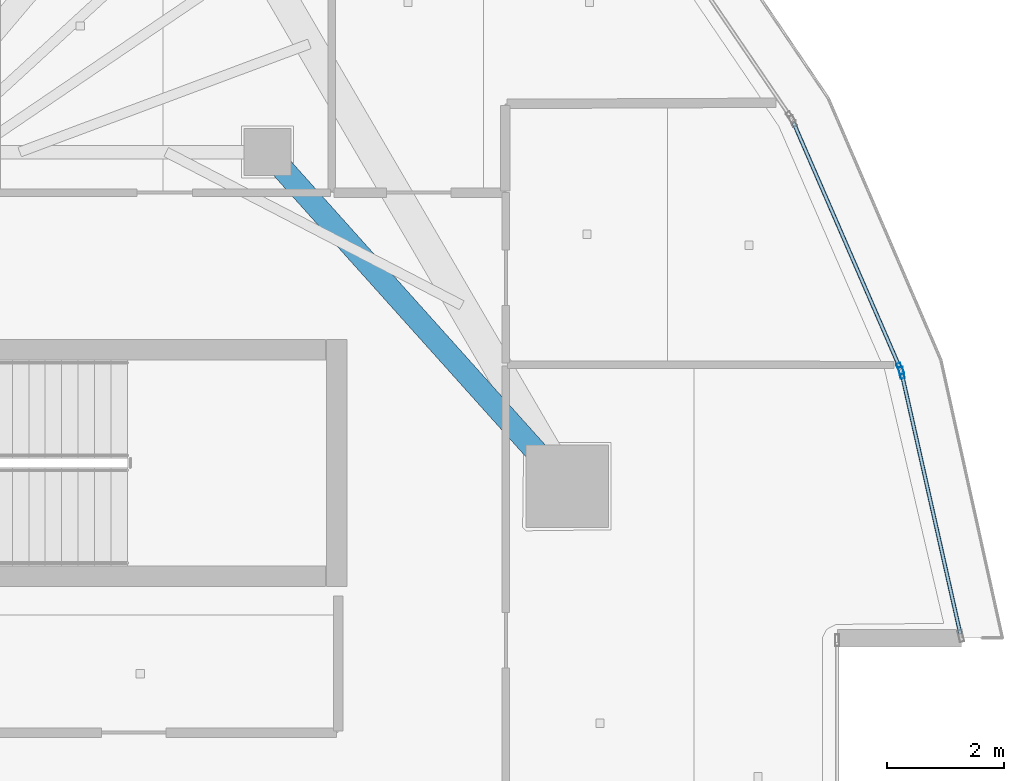
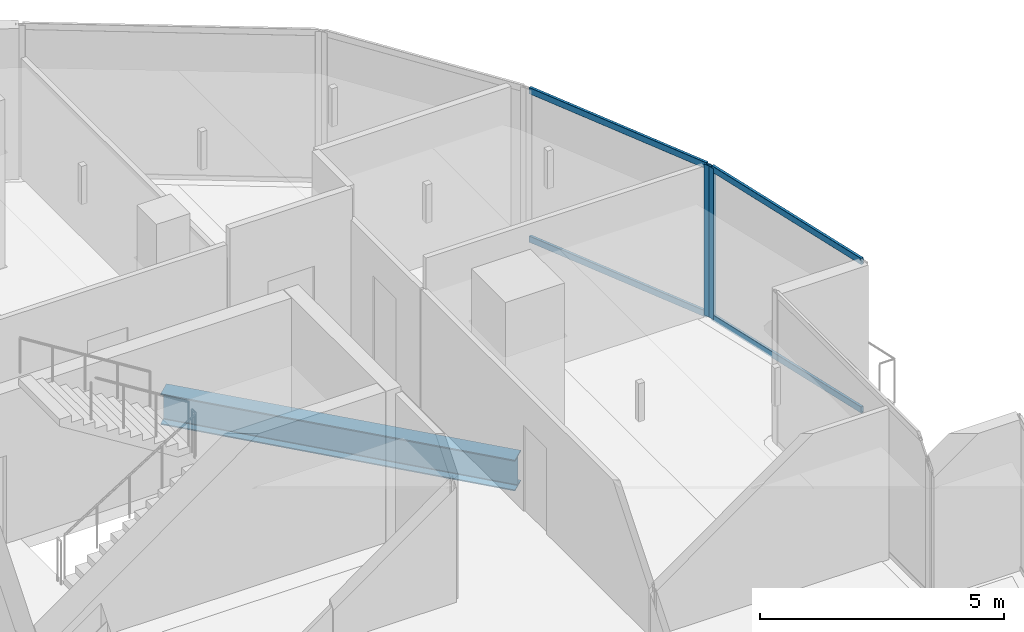
# One storey, part 13 of 26: 6 members, 1 beam, 2 elements without a shape of their own.
"""IFC4 building model written with IfcOpenShell, lengths in metres."""

import ifcopenshell
import ifcopenshell.guid

model = None  # the IFC model being written
_history = None  # IfcOwnerHistory: only IFC2X3 demands one
_inside = {}  # id of a spatial element -> (the spatial element, [elements in it])
_under = {}  # id of a project, library or spatial element -> (it, [spatial elements below it])
_declared = {}  # id of a project -> (the project, [libraries it declares])
_typed = {}  # id of a type object -> (the type object, [elements of that type])
_made_of = {}  # id of a material, layer set ... -> (it, [elements and type objects made of it])


def new_model(schema):
    """Start an empty IFC model of exactly this schema.

    Asked for "IFC4X3", IfcOpenShell would pick the latest addendum, in which some entities
    have other attributes; the version numbers below select the first issue.
    IFC2X3 requires an IfcOwnerHistory on every rooted entity: one is made here for all.
    """
    global model, _history
    if schema == "IFC4X3":
        model = ifcopenshell.file(schema_version=(4, 3, 0, 0))
    else:
        model = ifcopenshell.file(schema=schema)
    _inside.clear()
    _under.clear()
    _declared.clear()
    _typed.clear()
    _made_of.clear()
    _history = None
    if model.schema == "IFC2X3":
        org = make("IfcOrganization", Name="unknown")
        user = make(
            "IfcPersonAndOrganization",
            ThePerson=make("IfcPerson", FamilyName="unknown"),
            TheOrganization=org,
        )
        app = make(
            "IfcApplication",
            ApplicationDeveloper=org,
            Version="unknown",
            ApplicationFullName="unknown",
            ApplicationIdentifier="unknown",
        )
        _history = make(
            "IfcOwnerHistory",
            OwningUser=user,
            OwningApplication=app,
            ChangeAction="ADDED",
            CreationDate=0,
        )
    return model


def make(cls, **values):
    """One entity of the class cls with the attributes given. An attribute that is None is left unset."""
    return model.create_entity(
        cls, **{name: value for name, value in values.items() if value is not None}
    )


def rooted(cls, **values):
    """An entity with a GlobalId (a new one), such as an element, a storey or a relation."""
    return make(cls, GlobalId=ifcopenshell.guid.new(), OwnerHistory=_history, **values)


def si_unit(unit_type, name, prefix=None):
    """IfcSIUnit, for example si_unit("LENGTHUNIT", "METRE", prefix="MILLI")."""
    return make("IfcSIUnit", UnitType=unit_type, Prefix=prefix, Name=name)


def assignment(units):
    """IfcUnitAssignment: the units of a project."""
    return None if units is None else make("IfcUnitAssignment", Units=units)


def point(xyz):
    """IfcCartesianPoint."""
    return None if xyz is None else make("IfcCartesianPoint", Coordinates=xyz)


def direction(xyz):
    """IfcDirection."""
    return None if xyz is None else make("IfcDirection", DirectionRatios=xyz)


def frame(location, z_axis=None, x_axis=None):
    """IfcAxis2Placement3D, a coordinate frame: its origin and axes. An axis left out is left unset."""
    return make(
        "IfcAxis2Placement3D",
        Location=point(location),
        Axis=direction(z_axis),
        RefDirection=direction(x_axis),
    )


def frame_2d(location, x_axis=None):
    """IfcAxis2Placement2D, a coordinate frame in the plane: its origin and x axis."""
    return make(
        "IfcAxis2Placement2D", Location=point(location), RefDirection=direction(x_axis)
    )


def origin():
    """The frame at (0, 0, 0) with its axes left unset."""
    return frame((0.0, 0.0, 0.0))


def origin_2d():
    """The frame at (0, 0) in the plane with its x axis left unset."""
    return frame_2d((0.0, 0.0))


def place(relative_to, where):
    """IfcLocalPlacement: puts the frame where relative to a parent placement (None: the world)."""
    return make(
        "IfcLocalPlacement", PlacementRelTo=relative_to, RelativePlacement=where
    )


def context(
    kind, dimensions, precision=None, world=None, true_north=None, identifier=None
):
    """IfcGeometricRepresentationContext, for example the 3D "Model" context."""
    return make(
        "IfcGeometricRepresentationContext",
        ContextIdentifier=identifier,
        ContextType=kind,
        CoordinateSpaceDimension=dimensions,
        Precision=precision,
        WorldCoordinateSystem=world,
        TrueNorth=true_north,
    )


def subcontext(parent, identifier, kind, view, scale=None):
    """IfcGeometricRepresentationSubContext, for example "Body" below "Model"."""
    return make(
        "IfcGeometricRepresentationSubContext",
        ContextIdentifier=identifier,
        ContextType=kind,
        ParentContext=parent,
        TargetScale=scale,
        TargetView=view,
    )


def project(units=None, contexts=None):
    """IfcProject with its units and contexts."""
    return rooted(
        "IfcProject",
        Name="project",
        RepresentationContexts=contexts,
        UnitsInContext=assignment(units),
    )


def spatial(cls, under=None, at=None, **own):
    """A site, building, storey or space (cls), placed at a placement, below another one or the project."""
    s = rooted(cls, ObjectPlacement=at, **own)
    if under is not None:
        _under.setdefault(under.id(), (under, []))[1].append(s)
    return s


def profile(cls, at=None, kind="AREA", **sizes):
    """A parametric profile (cls). Its sizes go by their IFC names, for example OverallWidth=200.0."""
    return make(cls, ProfileType=kind, Position=at, **sizes)


def hollow_rectangle(**sizes):
    """IfcRectangleHollowProfileDef."""
    return profile("IfcRectangleHollowProfileDef", **sizes)


def i_section(**sizes):
    """IfcIShapeProfileDef."""
    return profile("IfcIShapeProfileDef", **sizes)


def extrude(swept, where, along, depth):
    """IfcExtrudedAreaSolid: the profile swept, set in the frame where, extruded along a direction by depth."""
    return make(
        "IfcExtrudedAreaSolid",
        SweptArea=swept,
        Position=where,
        ExtrudedDirection=direction(along),
        Depth=depth,
    )


def shape(context_of_items, identifier, shape_type, items):
    """IfcShapeRepresentation: the items that make up one representation, for example the "Body"."""
    return make(
        "IfcShapeRepresentation",
        ContextOfItems=context_of_items,
        RepresentationIdentifier=identifier,
        RepresentationType=shape_type,
        Items=items,
    )


def material(Name=None, Category=None):
    """IfcMaterial."""
    return make("IfcMaterial", Name=Name, Category=Category)


def layer(
    of_material, thickness, ventilated=None, Name=None, Category=None, Priority=None
):
    """IfcMaterialLayer: one layer of a wall or slab, of a material (None: an air gap)."""
    return make(
        "IfcMaterialLayer",
        Material=of_material,
        LayerThickness=thickness,
        IsVentilated=ventilated,
        Name=Name,
        Category=Category,
        Priority=Priority,
    )


def layer_set(layers, Name=None):
    """IfcMaterialLayerSet."""
    return make("IfcMaterialLayerSet", MaterialLayers=layers, LayerSetName=Name)


def material_profile(
    of_material, cross_section, Name=None, Category=None, Priority=None
):
    """IfcMaterialProfile: a cross section and its material."""
    return make(
        "IfcMaterialProfile",
        Name=Name,
        Material=of_material,
        Profile=cross_section,
        Priority=Priority,
        Category=Category,
    )


def profile_set(profiles, Name=None, composite=None):
    """IfcMaterialProfileSet."""
    return make(
        "IfcMaterialProfileSet",
        Name=Name,
        MaterialProfiles=profiles,
        CompositeProfile=composite,
    )


def made_of(thing, what):
    """Note that an element or type object is made of a material, layer set ...; save() writes the relation."""
    if what is not None:
        _made_of.setdefault(what.id(), (what, []))[1].append(thing)
    return thing


def type_object(cls, material=None, **own):
    """A type object (cls), such as IfcWallType, which elements share."""
    return made_of(rooted(cls, **own), material)


def element(
    cls,
    number,
    at=None,
    inside=None,
    cuts=None,
    type_object=None,
    material=None,
    context=None,
    identifier="Body",
    shape_type=None,
    held_by="IfcProductDefinitionShape",
    body=None,
    shapes=None,
    **own,
):
    """One element of the class cls, such as IfcWall. Its Tag is "e" and its number.

    at: its placement. inside: the storey or other place that contains it. cuts: it is an
    opening in that element (IfcRelVoidsElement). A single representation is given by context,
    identifier, shape_type and body (its items); several are given by shapes. held_by: the class
    of the entity that holds the representations. save() writes the other relations.
    """
    e = rooted(cls, Tag="e%d" % number, ObjectPlacement=at, **own)
    if body is not None:
        shapes = [shape(context, identifier, shape_type, body)]
    if shapes is not None:
        e.Representation = make(held_by, Representations=shapes)
    if inside is not None:
        _inside.setdefault(inside.id(), (inside, []))[1].append(e)
    if cuts is not None:
        rooted(
            "IfcRelVoidsElement", RelatingBuildingElement=cuts, RelatedOpeningElement=e
        )
    if type_object is not None:
        _typed.setdefault(type_object.id(), (type_object, []))[1].append(e)
    return made_of(e, material)


def aggregate(whole, parts):
    """IfcRelAggregates: a whole, such as a stair, and the parts it consists of."""
    return rooted("IfcRelAggregates", RelatingObject=whole, RelatedObjects=parts)


def save(model, path):
    """Write the relations noted so far, then the file.

    IfcRelAggregates (storeys below a building ...), IfcRelContainedInSpatialStructure (elements
    in a storey), IfcRelDefinesByType, IfcRelAssociatesMaterial and IfcRelDeclares: one each for
    every whole, place, type object, material and project.
    """
    for whole, parts in _under.values():
        aggregate(whole, parts)
    for where, things in _inside.values():
        rooted(
            "IfcRelContainedInSpatialStructure",
            RelatedElements=things,
            RelatingStructure=where,
        )
    for kind, things in _typed.values():
        rooted("IfcRelDefinesByType", RelatedObjects=things, RelatingType=kind)
    for what, things in _made_of.values():
        rooted("IfcRelAssociatesMaterial", RelatedObjects=things, RelatingMaterial=what)
    for by, libraries in _declared.values():
        rooted("IfcRelDeclares", RelatingContext=by, RelatedDefinitions=libraries)
    model.write(path)


model = new_model("IFC4")

# Units and contexts
model_context = context("Model", 3, precision=1e-05, world=origin(), true_north=direction((0.0, 1.0)))
body_context = subcontext(model_context, "Body", "Model", "MODEL_VIEW")
ifc_project = project(units=[si_unit("LENGTHUNIT", "METRE"), si_unit("AREAUNIT", "SQUARE_METRE"), si_unit("VOLUMEUNIT", "CUBIC_METRE"), si_unit("PLANEANGLEUNIT", "RADIAN"), si_unit("MASSUNIT", "GRAM", prefix="KILO")], contexts=[model_context])

# Site, building, storey
site_placement = place(None, origin())
site = spatial("IfcSite", under=ifc_project, at=site_placement, CompositionType="ELEMENT")
building_placement = place(site_placement, origin())
building = spatial("IfcBuilding", under=site, at=building_placement, Name="Qorvath Tower", CompositionType="ELEMENT")
storey_placement = place(building_placement, frame((0.0, 0.0, 322.800048828125)))
storey = spatial("IfcBuildingStorey", under=building, at=storey_placement, Name="L75", CompositionType="ELEMENT", Elevation=322.800048828125)

# Beam
ifc_material_1 = material(Name="Steel ASTM A992 Grade 50", Category="steel")
ifc_material_profile_1 = material_profile(ifc_material_1, i_section(OverallWidth=0.381103515625, OverallDepth=0.77294921875, WebThickness=0.0166015625, FlangeThickness=0.027099609375, FilletRadius=0.01904296875, at=origin_2d()), Name="W30x173")
ifc_profile_set_1 = profile_set([ifc_material_profile_1], Name="Steel ASTM A992 Grade 50")
beam_type = type_object("IfcBeamType", Name="BM-FG3", PredefinedType="BEAM", material=ifc_profile_set_1)
beam_placement = place(storey_placement, frame((-17.199951171875, 11.449951171875, -0.676513671875), z_axis=(0.667543184261, -0.744571082669, 0.0), x_axis=(0.744571082669, 0.667543184261, 0.0)))
element("IfcBeam", 1, at=beam_placement, inside=storey, type_object=beam_type, Name="Radial Floor Girder CC2-MC5 L75", PredefinedType="BEAM", context=body_context, shape_type="SweptSolid", body=[
    extrude(i_section(OverallWidth=0.381103515625, OverallDepth=0.77294921875, WebThickness=0.0166015625, FlangeThickness=0.027099609375, FilletRadius=0.01904296875, at=origin_2d()), origin(), (0.0, 0.0, 1.0), 7.644775390625),
])

# Curtain wall, member
ifc_material_2 = material(Name="Anodised aluminium and triple low-E glass", Category="aluminium")
ifc_layer = layer(ifc_material_2, 0.179931640625)
ifc_layer_set = layer_set([ifc_layer], Name="CW-SYS-4")
curtain_wall_type = type_object("IfcCurtainWallType", Name="CW-SYS-4", PredefinedType="NOTDEFINED", material=ifc_layer_set)
curtain_wall_1_placement = place(storey_placement, origin())
curtain_wall_1 = element("IfcCurtainWall", 2, at=curtain_wall_1_placement, inside=storey, type_object=curtain_wall_type, Name="Curtain Wall CW-4 CW-T-L75-11.1", PredefinedType="NOTDEFINED")
ifc_material_3 = material(Name="Anodised aluminium 6063-T6", Category="aluminium")
ifc_material_profile_2 = material_profile(ifc_material_3, hollow_rectangle(XDim=0.074951171875, YDim=0.199951171875, WallThickness=0.00390625, InnerFilletRadius=0.00390625, OuterFilletRadius=0.008056640625, at=origin_2d()), Name="CWM 200x75")
ifc_profile_set_2 = profile_set([ifc_material_profile_2], Name="Anodised aluminium 6063-T6")
member_type_1 = type_object("IfcMemberType", Name="CWM-200", PredefinedType="MULLION", material=ifc_profile_set_2)
member_1_placement = place(storey_placement, frame((-6.401123046875, 7.690185546875, 0.0), z_axis=(0.0, 0.0, 1.0), x_axis=(-0.975582353762, -0.219633947805, 0.0)))
member_1 = element("IfcMember", 3, at=member_1_placement, type_object=member_type_1, Name="CW-4 mullion 2", PredefinedType="MULLION", context=body_context, shape_type="SweptSolid", body=[
    extrude(hollow_rectangle(XDim=0.074951171875, YDim=0.199951171875, WallThickness=0.00390625, InnerFilletRadius=0.00390625, OuterFilletRadius=0.008056640625, at=origin_2d()), origin(), (0.0, 0.0, 1.0), 3.780029296875),
])

curtain_wall_2_placement = place(storey_placement, origin())
curtain_wall_2 = element("IfcCurtainWall", 4, at=curtain_wall_2_placement, inside=storey, type_object=curtain_wall_type, Name="Curtain Wall CW-4 CW-T-L75-12.1", PredefinedType="NOTDEFINED")
member_2_placement = place(storey_placement, frame((-6.42431640625, 7.76123046875, 0.0), z_axis=(0.0, 0.0, 1.0), x_axis=(-0.917439987233, -0.397874188439, 0.0)))
member_2 = element("IfcMember", 5, at=member_2_placement, type_object=member_type_1, Name="CW-4 mullion 1", PredefinedType="MULLION", context=body_context, shape_type="SweptSolid", body=[
    extrude(hollow_rectangle(XDim=0.074951171875, YDim=0.199951171875, WallThickness=0.00390625, InnerFilletRadius=0.00390625, OuterFilletRadius=0.008056640625, at=origin_2d()), origin(), (0.0, 0.0, 1.0), 3.780029296875),
])

# Member
ifc_material_4 = material(Name="Anodised aluminium 6063-T6", Category="aluminium")
ifc_material_profile_3 = material_profile(ifc_material_4, hollow_rectangle(XDim=0.06494140625, YDim=0.159912109375, WallThickness=0.00341796875, InnerFilletRadius=0.00341796875, OuterFilletRadius=0.007080078125, at=origin_2d()), Name="CWT 160x65")
ifc_profile_set_3 = profile_set([ifc_material_profile_3], Name="Anodised aluminium 6063-T6")
member_type_2 = type_object("IfcMemberType", Name="CWT-160", PredefinedType="USERDEFINED", material=ifc_profile_set_3)
member_3_placement = place(storey_placement, frame((-5.39990234375, 3.2431640625, 0.032470703125), z_axis=(-0.219634272645, 0.97558228063, 0.0), x_axis=(-0.97558228063, -0.219634272645, 0.0)))
member_3 = element("IfcMember", 6, at=member_3_placement, type_object=member_type_2, Name="CW-4 transom 1.1", ObjectType="TRANSOM", PredefinedType="USERDEFINED", context=body_context, shape_type="SweptSolid", body=[
    extrude(hollow_rectangle(XDim=0.06494140625, YDim=0.159912109375, WallThickness=0.00341796875, InnerFilletRadius=0.00341796875, OuterFilletRadius=0.007080078125, at=origin_2d()), origin(), (0.0, 0.0, 1.0), 4.520751953125),
])

member_4_placement = place(storey_placement, frame((-5.39990234375, 3.2431640625, 3.74755859375), z_axis=(-0.219634272645, 0.97558228063, 0.0), x_axis=(-0.97558228063, -0.219634272645, 0.0)))
member_4 = element("IfcMember", 7, at=member_4_placement, type_object=member_type_2, Name="CW-4 transom 1.2", ObjectType="TRANSOM", PredefinedType="USERDEFINED", context=body_context, shape_type="SweptSolid", body=[
    extrude(hollow_rectangle(XDim=0.06494140625, YDim=0.159912109375, WallThickness=0.00341796875, InnerFilletRadius=0.00341796875, OuterFilletRadius=0.007080078125, at=origin_2d()), origin(), (0.0, 0.0, 1.0), 4.520751953125),
])

aggregate(curtain_wall_1, [member_1, member_3, member_4])

member_5_placement = place(storey_placement, frame((-6.439208984375, 7.795654296875, 0.032470703125), z_axis=(-0.397904466293, 0.917426855779, 0.0), x_axis=(-0.917426855779, -0.397904466293, 0.0)))
member_5 = element("IfcMember", 8, at=member_5_placement, type_object=member_type_2, Name="CW-4 transom 1.1", ObjectType="TRANSOM", PredefinedType="USERDEFINED", context=body_context, shape_type="SweptSolid", body=[
    extrude(hollow_rectangle(XDim=0.06494140625, YDim=0.159912109375, WallThickness=0.00341796875, InnerFilletRadius=0.00341796875, OuterFilletRadius=0.007080078125, at=origin_2d()), origin(), (0.0, 0.0, 1.0), 4.520751953125),
])

member_6_placement = place(storey_placement, frame((-6.439208984375, 7.795654296875, 3.74755859375), z_axis=(-0.397904466293, 0.917426855779, 0.0), x_axis=(-0.917426855779, -0.397904466293, 0.0)))
member_6 = element("IfcMember", 9, at=member_6_placement, type_object=member_type_2, Name="CW-4 transom 1.2", ObjectType="TRANSOM", PredefinedType="USERDEFINED", context=body_context, shape_type="SweptSolid", body=[
    extrude(hollow_rectangle(XDim=0.06494140625, YDim=0.159912109375, WallThickness=0.00341796875, InnerFilletRadius=0.00341796875, OuterFilletRadius=0.007080078125, at=origin_2d()), origin(), (0.0, 0.0, 1.0), 4.520751953125),
])

aggregate(curtain_wall_2, [member_2, member_5, member_6])

save(model, "model.ifc")
